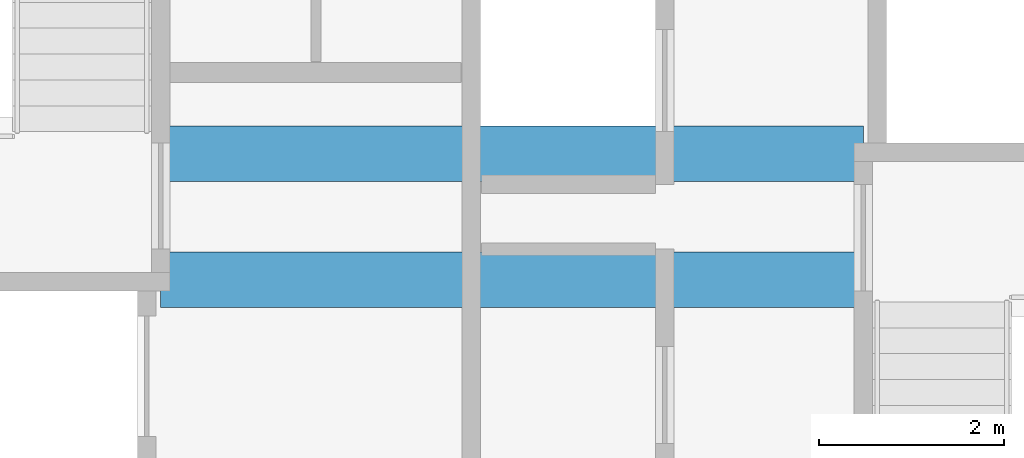
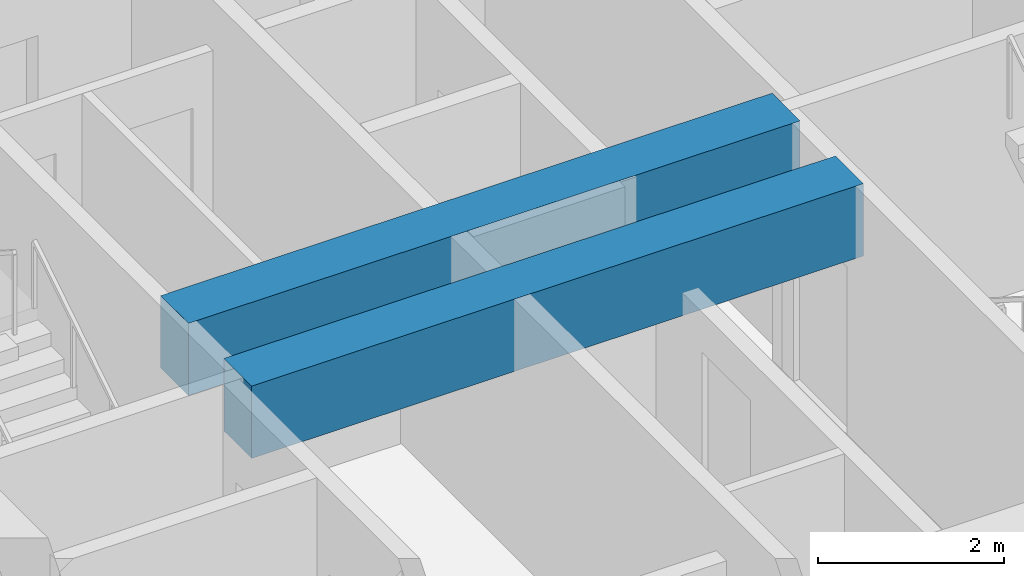
# One storey, part 9 of 46: 2 beams.
"""IFC4 building model written with IfcOpenShell, lengths in metres."""

from ifc_helpers import new_model, si_unit, direction, frame, origin, origin_2d, place, context, subcontext, project, spatial, rectangle, extrude, material, material_profile, profile_set, type_object, element, save


model = new_model("IFC4")

# Units and contexts
model_context = context("Model", 3, precision=1e-05, world=origin(), true_north=direction((0.0, 1.0)))
body_context = subcontext(model_context, "Body", "Model", "MODEL_VIEW")
ifc_project = project(units=[si_unit("LENGTHUNIT", "METRE"), si_unit("AREAUNIT", "SQUARE_METRE"), si_unit("VOLUMEUNIT", "CUBIC_METRE"), si_unit("PLANEANGLEUNIT", "RADIAN"), si_unit("MASSUNIT", "GRAM", prefix="KILO")], contexts=[model_context])

# Site, building, storey
site_placement = place(None, origin())
site = spatial("IfcSite", under=ifc_project, at=site_placement, CompositionType="ELEMENT")
building_placement = place(site_placement, origin())
building = spatial("IfcBuilding", under=site, at=building_placement, Name="Tashvorn Skyway Center", CompositionType="ELEMENT")
storey_placement = place(building_placement, frame((0.0, 0.0, 139.25)))
storey = spatial("IfcBuildingStorey", under=building, at=storey_placement, Name="L37", CompositionType="ELEMENT", Elevation=139.25)

# Beams
ifc_material = material(Name="Concrete C60/75", Category="concrete")
ifc_material_profile = material_profile(ifc_material, rectangle(XDim=0.60009765625, YDim=0.949951171875, at=origin_2d()), Name="RCB600x950")
ifc_profile_set = profile_set([ifc_material_profile], Name="Concrete C60/75")
beam_type = type_object("IfcBeamType", Name="BM-LINTEL-RCB600x950", PredefinedType="LINTEL", material=ifc_profile_set)
for number, where, z_axis, x_axis, name in (
    (1, (38.199951171875, 32.679931640625, 2.89501953125), (1.0, 0.0, 0.0), (0.0, 1.0, 0.0), "Tower 1 L37 Core Coupling Beam CN"),
    (2, (38.199951171875, 31.320068359375, 2.89501953125), (1.0, 0.0, 0.0), (0.0, 1.0, 0.0), "Tower 1 L37 Core Coupling Beam CS"),
):
    element("IfcBeam", number, at=place(storey_placement, frame(where, z_axis=z_axis, x_axis=x_axis)), inside=storey, type_object=beam_type, Name=name, PredefinedType="LINTEL", context=body_context, shape_type="SweptSolid", body=[
        extrude(rectangle(XDim=0.60009765625, YDim=0.949951171875, at=origin_2d()), origin(), (0.0, 0.0, 1.0), 7.60009765625),
    ])

save(model, "model.ifc")
